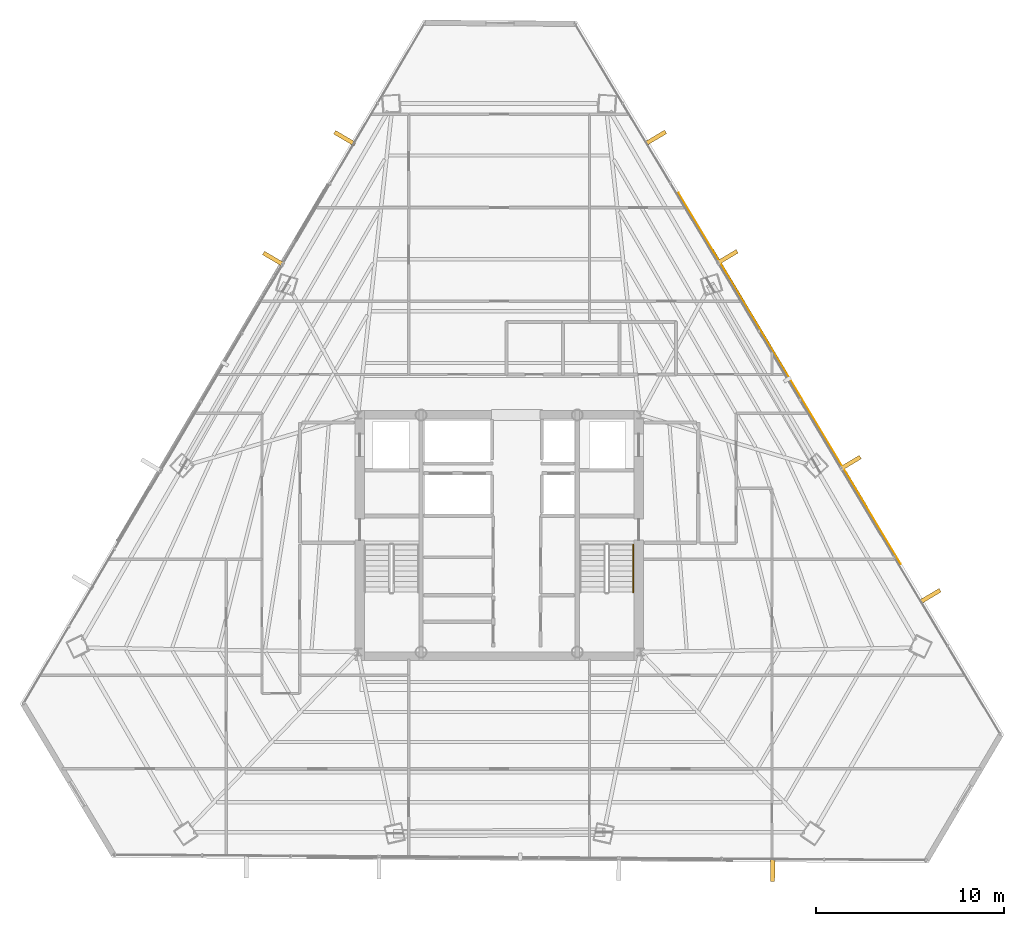
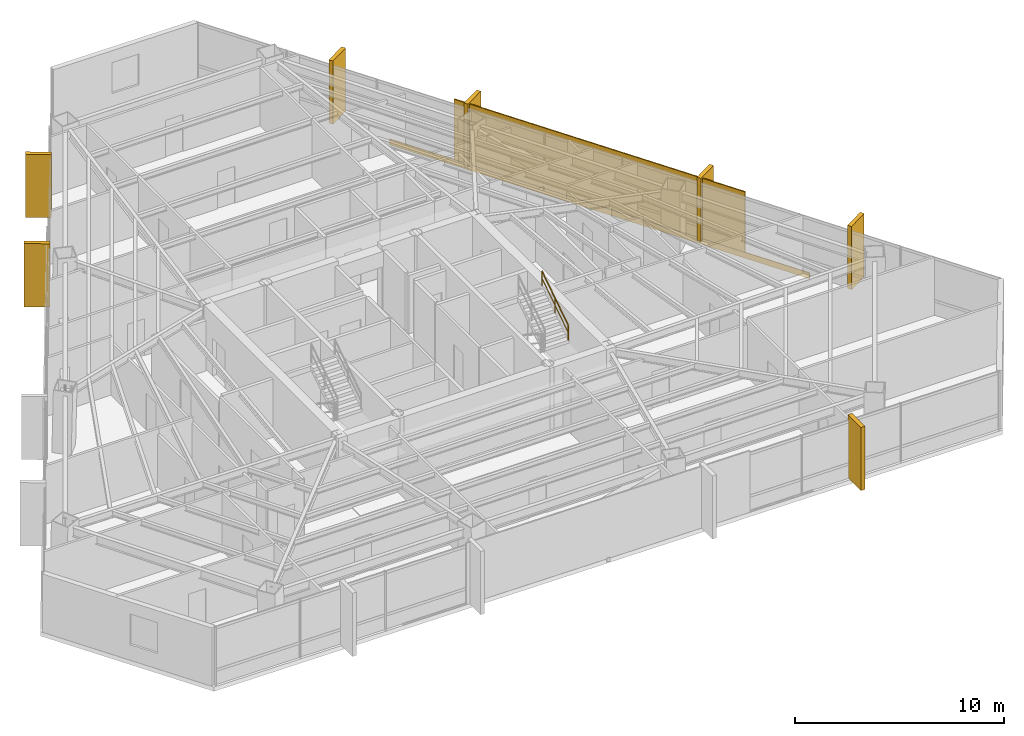
# One storey, part 40 of 40: 8 coverings, 1 railing, 1 shading device.
"""IFC4 building model written with IfcOpenShell, lengths in metres."""

from ifc_helpers import new_model, si_unit, direction, frame, origin, origin_2d, place, context, subcontext, project, spatial, rectangle, extrude, source, transform, mapped, material, layer, layer_set, type_object, type_shapes, element, save


model = new_model("IFC4")

# Units and contexts
model_context = context("Model", 3, precision=1e-05, world=origin(), true_north=direction((0.0, 1.0)))
body_context = subcontext(model_context, "Body", "Model", "MODEL_VIEW")
ifc_project = project(units=[si_unit("LENGTHUNIT", "METRE"), si_unit("AREAUNIT", "SQUARE_METRE"), si_unit("VOLUMEUNIT", "CUBIC_METRE"), si_unit("PLANEANGLEUNIT", "RADIAN"), si_unit("MASSUNIT", "GRAM", prefix="KILO")], contexts=[model_context])

# Site, building, storey
site_placement = place(None, origin())
site = spatial("IfcSite", under=ifc_project, at=site_placement, CompositionType="ELEMENT")
building_placement = place(site_placement, origin())
building = spatial("IfcBuilding", under=site, at=building_placement, Name="Caelisora Broadcast Tower", CompositionType="ELEMENT")
storey_placement = place(building_placement, frame((0.0, 0.0, 176.75)))
storey = spatial("IfcBuildingStorey", under=building, at=storey_placement, Name="L46", CompositionType="ELEMENT", Elevation=176.75)

# Railing
ifc_material_1 = material(Name="Stainless Steel Grade 316 Tubular Handrail", Category="steel")
ifc_layer_1 = layer(ifc_material_1, 0.048095703125, Name="Stainless Steel Grade 316 Tubular Handrail")
ifc_layer_set_1 = layer_set([ifc_layer_1], Name="Stainless Steel Grade 316 Tubular Handrail")
railing_type = type_object("IfcRailingType", Name="HR-1", PredefinedType="HANDRAIL", material=ifc_layer_set_1)
railing_placement = place(storey_placement, frame((45.1298828125, 20.580078125, 2.007568359375)))
element("IfcRailing", 1, at=railing_placement, inside=storey, type_object=railing_type, Name="L46 ST-2 stair handrail 2", PredefinedType="HANDRAIL", context=body_context, shape_type="SweptSolid", body=[
    extrude(rectangle(XDim=0.048095703125, YDim=0.048095703125, at=origin_2d()), frame((0.0, 0.0, 0.8759765625), z_axis=(0.0, 0.837786554691, 0.545997883492), x_axis=(-1.0, 0.0, 0.0)), (0.0, 0.0, 1.0), 3.008056640625),
    extrude(rectangle(XDim=0.03125, YDim=0.03125, at=origin_2d()), frame((0.0, 0.0, 0.449951171875), z_axis=(0.0, 0.837786554691, 0.545997883492), x_axis=(-1.0, 0.0, 0.0)), (0.0, 0.0, 1.0), 3.008056640625),
    extrude(rectangle(XDim=0.0419921875, YDim=0.0419921875, at=origin_2d()), origin(), (0.0, 0.0, 1.0), 0.851806640625),
    extrude(rectangle(XDim=0.0419921875, YDim=0.0419921875, at=origin_2d()), frame((0.0, 1.260009765625, 0.8212890625)), (0.0, 0.0, 1.0), 0.851806640625),
    extrude(rectangle(XDim=0.0419921875, YDim=0.0419921875, at=origin_2d()), frame((0.0, 2.52001953125, 1.642333984375)), (0.0, 0.0, 1.0), 0.851806640625),
])

# Coverings
ifc_material_2 = material(Name="Kiln-Fired Terracotta Spandrel Rainscreen Cladding", Category="ceramic")
ifc_layer_2 = layer(ifc_material_2, 0.044921875, Name="Kiln-Fired Terracotta Spandrel Rainscreen Cladding")
ifc_layer_set_2 = layer_set([ifc_layer_2], Name="Kiln-Fired Terracotta Spandrel Rainscreen Cladding")
covering_type = type_object("IfcCoveringType", Name="CL-1", PredefinedType="CLADDING", material=ifc_layer_set_2)
shared_shape_1 = source(origin(), body_context, "Body", "SweptSolid", [
    extrude(rectangle(XDim=0.219970703125, YDim=1.25, at=origin_2d()), origin(), (0.0, 0.0, 1.0), 3.68994140625),
])
for number, where, z_axis, x_axis, name in (
    (2, (46.311279296875, 44.723876953125, -0.02001953125), (0.0, 0.0, 1.0), (0.513840741921, -0.857885593737, 0.0), "L46 vertical solar fin cladding #1-1"),
    (3, (50.11181640625, 38.377197265625, -0.02001953125), (0.0, 0.0, 1.0), (0.513840741921, -0.857885593737, 0.0), "L46 vertical solar fin cladding #1-2"),
    (4, (56.65869140625, 27.44482421875, -0.02001953125), (0.0, 0.0, 1.0), (0.513840741921, -0.857885593737, 0.0), "L46 vertical solar fin cladding #1-3"),
    (5, (60.8955078125, 20.369873046875, -0.02001953125), (0.0, 0.0, 1.0), (0.513840741921, -0.857885593737, 0.0), "L46 vertical solar fin cladding #1-4"),
    (6, (52.53759765625, 5.835205078125, -0.02001953125), (0.0, 0.0, 1.0), (-0.999978006703, 0.006632202536, 0.0), "L46 vertical solar fin cladding #2-1"),
    (7, (26.0146484375, 38.29150390625, -0.02001953125), (0.0, 0.0, 1.0), (0.508139769859, 0.861274621876, 0.0), "L46 vertical solar fin cladding #3-3"),
    (8, (29.798095703125, 44.70556640625, -0.02001953125), (0.0, 0.0, 1.0), (0.508139769859, 0.861274621876, 0.0), "L46 vertical solar fin cladding #3-4"),
):
    element("IfcCovering", number, at=place(storey_placement, frame(where, z_axis=z_axis, x_axis=x_axis)), inside=storey, type_object=covering_type, Name=name, PredefinedType="CLADDING", context=body_context, shape_type="MappedRepresentation", body=[
        mapped(shared_shape_1, transform((0.0, 0.0, 0.0), scale=1.0)),
    ])

# Shading device
ifc_material_3 = material(Name="Perforated Glazed Terracotta Baguette Solar Screen", Category="ceramic")
ifc_layer_3 = layer(ifc_material_3, 0.06494140625, Name="Perforated Glazed Terracotta Baguette Solar Screen")
ifc_layer_set_3 = layer_set([ifc_layer_3], Name="Perforated Glazed Terracotta Baguette Solar Screen")
shading_device_type = type_object("IfcShadingDeviceType", Name="SS-1", PredefinedType="USERDEFINED", material=ifc_layer_set_3)
shared_shape_2 = source(origin(), body_context, "Body", "SweptSolid", [
    extrude(rectangle(XDim=15.9140625, YDim=0.06494140625, at=origin_2d()), origin(), (0.0, 0.0, 1.0), 3.590087890625),
])
type_shapes(shading_device_type, [shared_shape_2])
shading_device_placement = place(storey_placement, frame((53.436279296875, 31.949462890625, 0.0), z_axis=(0.0, 0.0, 1.0), x_axis=(-0.513840741921, 0.857885593737, 0.0)))
element("IfcShadingDevice", 9, at=shading_device_placement, inside=storey, type_object=shading_device_type, Name="L46 perforated terracotta solar screen #3", ObjectType="SOLAR SCREEN", PredefinedType="USERDEFINED", context=body_context, shape_type="MappedRepresentation", body=[
    mapped(shared_shape_2, transform((0.0, 0.0, 0.0), scale=1.0)),
])

# Covering
shared_shape_3 = source(origin(), body_context, "Body", "SweptSolid", [
    extrude(rectangle(XDim=22.986083984375, YDim=0.044921875, at=origin_2d()), origin(), (0.0, 0.0, 1.0), 0.340087890625),
])
type_shapes(covering_type, [shared_shape_1, shared_shape_3])
covering_placement = place(storey_placement, frame((53.4189453125, 31.939208984375, -0.27001953125), z_axis=(0.0, 0.0, 1.0), x_axis=(-0.513840741921, 0.857885593737, 0.0)))
element("IfcCovering", 10, at=covering_placement, inside=storey, type_object=covering_type, Name="L46 terracotta spandrel rainscreen #3", PredefinedType="CLADDING", context=body_context, shape_type="MappedRepresentation", body=[
    mapped(shared_shape_3, transform((0.0, 0.0, 0.0), scale=1.0)),
])

save(model, "model.ifc")
